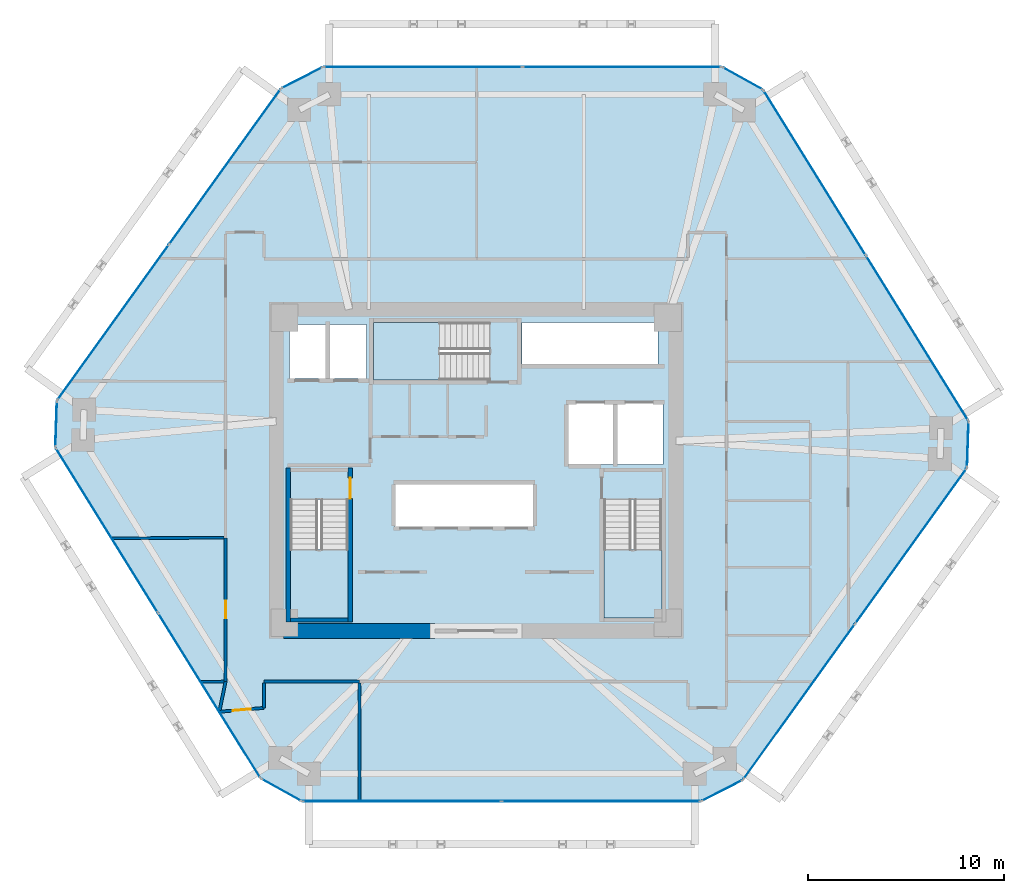
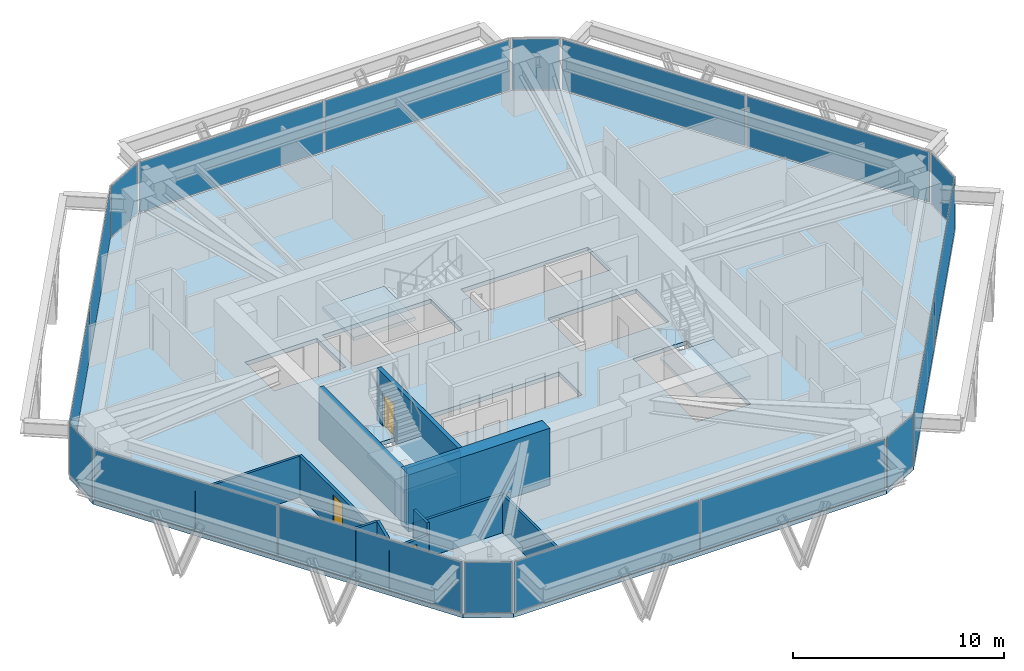
# One storey, part 9 of 13: 18 plates, 12 walls, 4 slabs, 3 doors, 3 openings, 15 elements without a shape of their own.
"""IFC4 building model written with IfcOpenShell, lengths in metres."""

from ifc_helpers import new_model, si_unit, direction, frame, frame_2d, origin, origin_2d, place, context, subcontext, project, spatial, polyline, rectangle, outline, extrude, source, transform, mapped, material, layer, layer_set, type_object, type_shapes, element, fill, aggregate, save


model = new_model("IFC4")

# Units and contexts
model_context = context("Model", 3, precision=1e-05, world=origin(), true_north=direction((0.0, 1.0)))
body_context = subcontext(model_context, "Body", "Model", "MODEL_VIEW")
ifc_project = project(units=[si_unit("LENGTHUNIT", "METRE"), si_unit("AREAUNIT", "SQUARE_METRE"), si_unit("VOLUMEUNIT", "CUBIC_METRE"), si_unit("PLANEANGLEUNIT", "RADIAN"), si_unit("MASSUNIT", "GRAM", prefix="KILO")], contexts=[model_context])

# Site, building, storey
site_placement = place(None, origin())
site = spatial("IfcSite", under=ifc_project, at=site_placement, CompositionType="ELEMENT")
building_placement = place(site_placement, origin())
building = spatial("IfcBuilding", under=site, at=building_placement, Name="Durnholm Broadcast Tower", CompositionType="ELEMENT")
storey_placement = place(building_placement, frame((0.0, 0.0, 133.800048828125)))
storey = spatial("IfcBuildingStorey", under=building, at=storey_placement, Name="L36", CompositionType="ELEMENT", Elevation=133.800048828125)

# Slab
ifc_material_1 = material(Name="Concrete C50/60", Category="concrete")
ifc_layer_1 = layer(ifc_material_1, 0.239990234375)
ifc_layer_set_1 = layer_set([ifc_layer_1], Name="Concrete C50/60")
slab_type_1 = type_object("IfcSlabType", Name="SLAB-FLR-240", PredefinedType="FLOOR", material=ifc_layer_set_1)
slab_1_placement = place(storey_placement, frame((0.0, 0.0, -0.239990234375)))
element("IfcSlab", 1, at=slab_1_placement, inside=storey, type_object=slab_type_1, Name="L36 structural floor slab", PredefinedType="FLOOR", context=body_context, shape_type="SweptSolid", body=[
    extrude(outline(polyline([(-11.012451171875, -15.77001953125), (-8.915283203125, -16.93701171875), (11.51416015625, -16.93701171875), (13.649658203125, -15.841796875), (25.11279296875, 0.114990234375), (25.1943359375, 2.513671875), (14.6904296875, 19.447998046875), (12.59326171875, 20.614990234375), (-7.836181640625, 20.614990234375), (-9.9716796875, 19.519775390625), (-21.434814453125, 3.56298828125), (-21.516357421875, 1.164306640625), (-11.012451171875, -15.77001953125)]), holes=[polyline([(-6.5400390625, -1.5), (-9.5, -1.5), (-9.5, -7.550048828125), (-6.5400390625, -7.550048828125), (-6.5400390625, -1.5)]), polyline([(9.5, -7.550048828125), (9.5, -1.5), (6.5400390625, -1.5), (6.5400390625, -7.550048828125), (9.5, -7.550048828125)]), polyline([(2.949951171875, -0.699951171875), (-4.14990234375, -0.699951171875), (-4.14990234375, -2.89990234375), (2.949951171875, -2.89990234375), (2.949951171875, -0.699951171875)]), polyline([(9.550048828125, 3.39990234375), (4.699951171875, 3.39990234375), (4.699951171875, 0.300048828125), (9.550048828125, 0.300048828125), (9.550048828125, 3.39990234375)]), polyline([(-5.60009765625, 7.449951171875), (-9.550048828125, 7.449951171875), (-9.550048828125, 4.699951171875), (-5.60009765625, 4.699951171875), (-5.60009765625, 7.449951171875)]), polyline([(-5.25, 4.60009765625), (0.699951171875, 4.60009765625), (0.699951171875, 7.56005859375), (-5.25, 7.56005859375), (-5.25, 4.60009765625)]), polyline([(9.31005859375, 7.550048828125), (2.35009765625, 7.550048828125), (2.35009765625, 5.39990234375), (9.31005859375, 5.39990234375), (9.31005859375, 7.550048828125)])]), origin(), (0.0, 0.0, 1.0), 0.239990234375),
])

# Stair, slab
stair_type = type_object("IfcStairType", Name="STAIR-DL-20R1650", PredefinedType="HALF_TURN_STAIR", material=ifc_material_1)
stair_1_placement = place(storey_placement, origin())
stair_1 = element("IfcStair", 2, at=stair_1_placement, inside=storey, type_object=stair_type, Name="L36 ST-1", PredefinedType="HALF_TURN_STAIR")
ifc_layer_2 = layer(ifc_material_1, 0.199951171875)
ifc_layer_set_2 = layer_set([ifc_layer_2], Name="Concrete C50/60")
slab_type_2 = type_object("IfcSlabType", Name="SLAB-LND-200", PredefinedType="LANDING", material=ifc_layer_set_2)
slab_2_placement = place(storey_placement, frame((0.0, 0.0, 1.449951171875)))
slab_2 = element("IfcSlab", 3, at=slab_2_placement, type_object=slab_type_2, Name="ST-1 landing 1", PredefinedType="LANDING", context=body_context, shape_type="SweptSolid", body=[
    extrude(outline(polyline([(-9.5, -4.06494140625), (-9.5, -7.550048828125), (-6.5400390625, -7.550048828125), (-6.5400390625, -4.06494140625), (-9.5, -4.06494140625)])), origin(), (0.0, 0.0, 1.0), 0.199951171875),
])
aggregate(stair_1, [slab_2])

stair_2_placement = place(storey_placement, origin())
stair_2 = element("IfcStair", 4, at=stair_2_placement, inside=storey, type_object=stair_type, Name="L36 ST-2", PredefinedType="HALF_TURN_STAIR")
slab_3_placement = place(storey_placement, frame((0.0, 0.0, 1.449951171875)))
slab_3 = element("IfcSlab", 5, at=slab_3_placement, type_object=slab_type_2, Name="ST-2 landing 1", PredefinedType="LANDING", context=body_context, shape_type="SweptSolid", body=[
    extrude(outline(polyline([(6.5400390625, -4.06494140625), (6.5400390625, -7.550048828125), (9.5, -7.550048828125), (9.5, -4.06494140625), (6.5400390625, -4.06494140625)])), origin(), (0.0, 0.0, 1.0), 0.199951171875),
])
aggregate(stair_2, [slab_3])

stair_3_placement = place(storey_placement, origin())
stair_3 = element("IfcStair", 6, at=stair_3_placement, inside=storey, type_object=stair_type, Name="L36 ST-3", PredefinedType="HALF_TURN_STAIR")
slab_4_placement = place(storey_placement, frame((0.0, 0.0, 1.449951171875)))
slab_4 = element("IfcSlab", 7, at=slab_4_placement, type_object=slab_type_2, Name="ST-3 landing 1", PredefinedType="LANDING", context=body_context, shape_type="SweptSolid", body=[
    extrude(outline(polyline([(-1.864990234375, 7.56005859375), (-5.25, 7.56005859375), (-5.25, 4.60009765625), (-1.864990234375, 4.60009765625), (-1.864990234375, 7.56005859375)])), origin(), (0.0, 0.0, 1.0), 0.199951171875),
])
aggregate(stair_3, [slab_4])

# Curtain wall, plate
ifc_material_2 = material(Name="Aluminium and Solar Control IGU", Category="aluminium")
ifc_layer_3 = layer(ifc_material_2, 0.1650390625)
ifc_layer_set_3 = layer_set([ifc_layer_3], Name="Aluminium and Solar Control IGU")
curtain_wall_type_1 = type_object("IfcCurtainWallType", Name="CW-SYS-5", PredefinedType="NOTDEFINED", material=ifc_layer_set_3)
curtain_wall_1_placement = place(storey_placement, origin())
curtain_wall_1 = element("IfcCurtainWall", 8, at=curtain_wall_1_placement, inside=storey, type_object=curtain_wall_type_1, Name="L36 curtain wall CW-CORNER CW-L36-CRN-01", PredefinedType="NOTDEFINED")
ifc_material_3 = material(Name="Low-E Laminated Insulating Glass", Category="glass")
ifc_layer_4 = layer(ifc_material_3, 0.030029296875)
ifc_layer_set_4 = layer_set([ifc_layer_4], Name="Low-E Laminated Insulating Glass")
plate_type_1 = type_object("IfcPlateType", Name="CW-SYS-5-PNL", PredefinedType="CURTAIN_PANEL", material=ifc_layer_set_4)
shared_shape_1 = source(origin(), body_context, "Body", "SweptSolid", [
    extrude(rectangle(XDim=2.27001953125, YDim=0.030029296875, at=origin_2d()), origin(), (0.0, 0.0, 1.0), 2.929931640625),
])
type_shapes(plate_type_1, [shared_shape_1])
plate_1_placement = place(storey_placement, frame((-21.4755859375, 2.36376953125, 0.06494140625), z_axis=(0.0, 0.0, 1.0), x_axis=(0.033916937775, 0.999424655155, 0.0)))
plate_1 = element("IfcPlate", 9, at=plate_1_placement, type_object=plate_type_1, Name="CW-CORNER panel 1.1", PredefinedType="CURTAIN_PANEL", context=body_context, shape_type="MappedRepresentation", body=[
    mapped(shared_shape_1, transform((0.0, 0.0, 0.0), x_axis=(1.0, 0.0, 0.0), y_axis=(0.0, 1.0, 0.0), z_axis=(0.0, 0.0, 1.0), scale=1.0)),
])
aggregate(curtain_wall_1, [plate_1])

curtain_wall_2_placement = place(storey_placement, origin())
curtain_wall_2 = element("IfcCurtainWall", 10, at=curtain_wall_2_placement, inside=storey, type_object=curtain_wall_type_1, Name="L36 curtain wall CW-CORNER CW-L36-CRN-03", PredefinedType="NOTDEFINED")
plate_2_placement = place(storey_placement, frame((-8.904052734375, 20.0673828125, 0.06494140625), z_axis=(0.0, 0.0, 1.0), x_axis=(0.889788396392, 0.45637332267, 0.0)))
plate_2 = element("IfcPlate", 11, at=plate_2_placement, type_object=plate_type_1, Name="CW-CORNER panel 1.1", PredefinedType="CURTAIN_PANEL", context=body_context, shape_type="MappedRepresentation", body=[
    mapped(shared_shape_1, transform((0.0, 0.0, 0.0), x_axis=(1.0, 0.0, 0.0), y_axis=(0.0, 1.0, 0.0), z_axis=(0.0, 0.0, 1.0), scale=1.0)),
])
aggregate(curtain_wall_2, [plate_2])

curtain_wall_3_placement = place(storey_placement, origin())
curtain_wall_3 = element("IfcCurtainWall", 12, at=curtain_wall_3_placement, inside=storey, type_object=curtain_wall_type_1, Name="L36 curtain wall CW-CORNER CW-L36-CRN-05", PredefinedType="NOTDEFINED")
plate_3_placement = place(storey_placement, frame((13.641845703125, 20.031494140625, 0.06494140625), z_axis=(0.0, 0.0, 1.0), x_axis=(0.873822953715, -0.486244224192, 0.0)))
plate_3 = element("IfcPlate", 13, at=plate_3_placement, type_object=plate_type_1, Name="CW-CORNER panel 1.1", PredefinedType="CURTAIN_PANEL", context=body_context, shape_type="MappedRepresentation", body=[
    mapped(shared_shape_1, transform((0.0, 0.0, 0.0), x_axis=(1.0, 0.0, 0.0), y_axis=(0.0, 1.0, 0.0), z_axis=(0.0, 0.0, 1.0), scale=1.0)),
])
aggregate(curtain_wall_3, [plate_3])

curtain_wall_4_placement = place(storey_placement, origin())
curtain_wall_4 = element("IfcCurtainWall", 14, at=curtain_wall_4_placement, inside=storey, type_object=curtain_wall_type_1, Name="L36 curtain wall CW-CORNER CW-L36-CRN-07", PredefinedType="NOTDEFINED")
plate_4_placement = place(storey_placement, frame((25.153564453125, 1.314208984375, 0.06494140625), z_axis=(0.0, 0.0, 1.0), x_axis=(-0.033916937775, -0.999424655155, 0.0)))
plate_4 = element("IfcPlate", 15, at=plate_4_placement, type_object=plate_type_1, Name="CW-CORNER panel 1.1", PredefinedType="CURTAIN_PANEL", context=body_context, shape_type="MappedRepresentation", body=[
    mapped(shared_shape_1, transform((0.0, 0.0, 0.0), x_axis=(1.0, 0.0, 0.0), y_axis=(0.0, 1.0, 0.0), z_axis=(0.0, 0.0, 1.0), scale=1.0)),
])
aggregate(curtain_wall_4, [plate_4])

curtain_wall_5_placement = place(storey_placement, origin())
curtain_wall_5 = element("IfcCurtainWall", 16, at=curtain_wall_5_placement, inside=storey, type_object=curtain_wall_type_1, Name="L36 curtain wall CW-CORNER CW-L36-CRN-09", PredefinedType="NOTDEFINED")
plate_5_placement = place(storey_placement, frame((12.58203125, -16.389404296875, 0.06494140625), z_axis=(0.0, 0.0, 1.0), x_axis=(-0.889788396392, -0.45637332267, 0.0)))
plate_5 = element("IfcPlate", 17, at=plate_5_placement, type_object=plate_type_1, Name="CW-CORNER panel 1.1", PredefinedType="CURTAIN_PANEL", context=body_context, shape_type="MappedRepresentation", body=[
    mapped(shared_shape_1, transform((0.0, 0.0, 0.0), x_axis=(1.0, 0.0, 0.0), y_axis=(0.0, 1.0, 0.0), z_axis=(0.0, 0.0, 1.0), scale=1.0)),
])
aggregate(curtain_wall_5, [plate_5])

curtain_wall_6_placement = place(storey_placement, origin())
curtain_wall_6 = element("IfcCurtainWall", 18, at=curtain_wall_6_placement, inside=storey, type_object=curtain_wall_type_1, Name="L36 curtain wall CW-CORNER CW-L36-CRN-11", PredefinedType="NOTDEFINED")
plate_6_placement = place(storey_placement, frame((-9.9638671875, -16.353515625, 0.06494140625), z_axis=(0.0, 0.0, 1.0), x_axis=(-0.873822953715, 0.486244224192, 0.0)))
plate_6 = element("IfcPlate", 19, at=plate_6_placement, type_object=plate_type_1, Name="CW-CORNER panel 1.1", PredefinedType="CURTAIN_PANEL", context=body_context, shape_type="MappedRepresentation", body=[
    mapped(shared_shape_1, transform((0.0, 0.0, 0.0), x_axis=(1.0, 0.0, 0.0), y_axis=(0.0, 1.0, 0.0), z_axis=(0.0, 0.0, 1.0), scale=1.0)),
])
aggregate(curtain_wall_6, [plate_6])

# Curtain wall, plates
ifc_layer_5 = layer(ifc_material_2, 0.18994140625)
ifc_layer_set_5 = layer_set([ifc_layer_5], Name="Aluminium and Solar Control IGU")
curtain_wall_type_2 = type_object("IfcCurtainWallType", Name="CW-SYS-3", PredefinedType="NOTDEFINED", material=ifc_layer_set_5)
curtain_wall_7_placement = place(storey_placement, origin())
curtain_wall_7 = element("IfcCurtainWall", 20, at=curtain_wall_7_placement, inside=storey, type_object=curtain_wall_type_2, Name="L36 curtain wall CW-Z12-VIS CW-L36-F02", PredefinedType="NOTDEFINED")
ifc_layer_6 = layer(ifc_material_3, 0.031982421875)
ifc_layer_set_6 = layer_set([ifc_layer_6], Name="Low-E Laminated Insulating Glass")
plate_type_2 = type_object("IfcPlateType", Name="CW-SYS-3-PNL", PredefinedType="CURTAIN_PANEL", material=ifc_layer_set_6)
shared_shape_2 = source(origin(), body_context, "Body", "SweptSolid", [
    extrude(rectangle(XDim=9.71875, YDim=0.031982421875, at=origin_2d()), origin(), (0.0, 0.0, 1.0), 2.919921875),
])
plate_7_placement = place(storey_placement, frame((-18.558837890625, 7.56640625, 0.070068359375), z_axis=(0.0, 0.0, 1.0), x_axis=(0.583445473786, 0.812152312759, 0.0)))
plate_7 = element("IfcPlate", 21, at=plate_7_placement, type_object=plate_type_2, Name="CW-Z12-VIS panel 1.1", PredefinedType="CURTAIN_PANEL", context=body_context, shape_type="MappedRepresentation", body=[
    mapped(shared_shape_2, transform((0.0, 0.0, 0.0), x_axis=(1.0, 0.0, 0.0), y_axis=(0.0, 1.0, 0.0), z_axis=(0.0, 0.0, 1.0), scale=1.0)),
])
plate_8_placement = place(storey_placement, frame((-12.84765625, 15.516357421875, 0.070068359375), z_axis=(0.0, 0.0, 1.0), x_axis=(0.583445473786, 0.812152312759, 0.0)))
plate_8 = element("IfcPlate", 22, at=plate_8_placement, type_object=plate_type_2, Name="CW-Z12-VIS panel 2.1", PredefinedType="CURTAIN_PANEL", context=body_context, shape_type="MappedRepresentation", body=[
    mapped(shared_shape_2, transform((0.0, 0.0, 0.0), x_axis=(1.0, 0.0, 0.0), y_axis=(0.0, 1.0, 0.0), z_axis=(0.0, 0.0, 1.0), scale=1.0)),
])
aggregate(curtain_wall_7, [plate_7, plate_8])

curtain_wall_8_placement = place(storey_placement, origin())
curtain_wall_8 = element("IfcCurtainWall", 23, at=curtain_wall_8_placement, inside=storey, type_object=curtain_wall_type_2, Name="L36 curtain wall CW-Z12-VIS CW-L36-F08", PredefinedType="NOTDEFINED")
plate_9_placement = place(storey_placement, frame((22.23681640625, -3.888427734375, 0.070068359375), z_axis=(0.0, 0.0, 1.0), x_axis=(-0.583445473786, -0.812152312759, 0.0)))
plate_9 = element("IfcPlate", 24, at=plate_9_placement, type_object=plate_type_2, Name="CW-Z12-VIS panel 1.1", PredefinedType="CURTAIN_PANEL", context=body_context, shape_type="MappedRepresentation", body=[
    mapped(shared_shape_2, transform((0.0, 0.0, 0.0), x_axis=(1.0, 0.0, 0.0), y_axis=(0.0, 1.0, 0.0), z_axis=(0.0, 0.0, 1.0), scale=1.0)),
])
plate_10_placement = place(storey_placement, frame((16.525634765625, -11.83837890625, 0.070068359375), z_axis=(0.0, 0.0, 1.0), x_axis=(-0.583445473786, -0.812152312759, 0.0)))
plate_10 = element("IfcPlate", 25, at=plate_10_placement, type_object=plate_type_2, Name="CW-Z12-VIS panel 2.1", PredefinedType="CURTAIN_PANEL", context=body_context, shape_type="MappedRepresentation", body=[
    mapped(shared_shape_2, transform((0.0, 0.0, 0.0), x_axis=(1.0, 0.0, 0.0), y_axis=(0.0, 1.0, 0.0), z_axis=(0.0, 0.0, 1.0), scale=1.0)),
])
aggregate(curtain_wall_8, [plate_9, plate_10])

curtain_wall_9_placement = place(storey_placement, origin())
curtain_wall_9 = element("IfcCurtainWall", 26, at=curtain_wall_9_placement, inside=storey, type_object=curtain_wall_type_2, Name="L36 curtain wall CW-Z12-VIS CW-L36-F04", PredefinedType="NOTDEFINED")
shared_shape_3 = source(origin(), body_context, "Body", "SweptSolid", [
    extrude(rectangle(XDim=10.109619140625, YDim=0.031982421875, at=origin_2d()), origin(), (0.0, 0.0, 1.0), 2.919921875),
])
plate_11_placement = place(storey_placement, frame((-2.71142578125, 20.614990234375, 0.070068359375), z_axis=(0.0, 0.0, 1.0), x_axis=(1.0, 0.0, 0.0)))
plate_11 = element("IfcPlate", 27, at=plate_11_placement, type_object=plate_type_2, Name="CW-Z12-VIS panel 1.1", PredefinedType="CURTAIN_PANEL", context=body_context, shape_type="MappedRepresentation", body=[
    mapped(shared_shape_3, transform((0.0, 0.0, 0.0), x_axis=(1.0, 0.0, 0.0), y_axis=(0.0, 1.0, 0.0), z_axis=(0.0, 0.0, 1.0), scale=1.0)),
])
plate_12_placement = place(storey_placement, frame((7.46826171875, 20.614990234375, 0.070068359375), z_axis=(0.0, 0.0, 1.0), x_axis=(1.0, 0.0, 0.0)))
plate_12 = element("IfcPlate", 28, at=plate_12_placement, type_object=plate_type_2, Name="CW-Z12-VIS panel 2.1", PredefinedType="CURTAIN_PANEL", context=body_context, shape_type="MappedRepresentation", body=[
    mapped(shared_shape_3, transform((0.0, 0.0, 0.0), x_axis=(1.0, 0.0, 0.0), y_axis=(0.0, 1.0, 0.0), z_axis=(0.0, 0.0, 1.0), scale=1.0)),
])
aggregate(curtain_wall_9, [plate_11, plate_12])

curtain_wall_10_placement = place(storey_placement, origin())
curtain_wall_10 = element("IfcCurtainWall", 29, at=curtain_wall_10_placement, inside=storey, type_object=curtain_wall_type_2, Name="L36 curtain wall CW-Z12-VIS CW-L36-F10", PredefinedType="NOTDEFINED")
plate_13_placement = place(storey_placement, frame((6.389404296875, -16.93701171875, 0.070068359375), z_axis=(0.0, 0.0, 1.0), x_axis=(-1.0, 0.0, 0.0)))
plate_13 = element("IfcPlate", 30, at=plate_13_placement, type_object=plate_type_2, Name="CW-Z12-VIS panel 1.1", PredefinedType="CURTAIN_PANEL", context=body_context, shape_type="MappedRepresentation", body=[
    mapped(shared_shape_3, transform((0.0, 0.0, 0.0), x_axis=(1.0, 0.0, 0.0), y_axis=(0.0, 1.0, 0.0), z_axis=(0.0, 0.0, 1.0), scale=1.0)),
])
plate_14_placement = place(storey_placement, frame((-3.790283203125, -16.93701171875, 0.070068359375), z_axis=(0.0, 0.0, 1.0), x_axis=(-1.0, 0.0, 0.0)))
plate_14 = element("IfcPlate", 31, at=plate_14_placement, type_object=plate_type_2, Name="CW-Z12-VIS panel 2.1", PredefinedType="CURTAIN_PANEL", context=body_context, shape_type="MappedRepresentation", body=[
    mapped(shared_shape_3, transform((0.0, 0.0, 0.0), x_axis=(1.0, 0.0, 0.0), y_axis=(0.0, 1.0, 0.0), z_axis=(0.0, 0.0, 1.0), scale=1.0)),
])
aggregate(curtain_wall_10, [plate_13, plate_14])

curtain_wall_11_placement = place(storey_placement, origin())
curtain_wall_11 = element("IfcCurtainWall", 32, at=curtain_wall_11_placement, inside=storey, type_object=curtain_wall_type_2, Name="L36 curtain wall CW-Z12-VIS CW-L36-F06", PredefinedType="NOTDEFINED")
shared_shape_4 = source(origin(), body_context, "Body", "SweptSolid", [
    extrude(rectangle(XDim=9.858642578125, YDim=0.031982421875, at=origin_2d()), origin(), (0.0, 0.0, 1.0), 2.919921875),
])
type_shapes(plate_type_2, [shared_shape_2, shared_shape_3, shared_shape_4])
plate_15_placement = place(storey_placement, frame((17.32568359375, 15.199462890625, 0.070068359375), z_axis=(0.0, 0.0, 1.0), x_axis=(0.527105385176, -0.849799925229, 0.0)))
plate_15 = element("IfcPlate", 33, at=plate_15_placement, type_object=plate_type_2, Name="CW-Z12-VIS panel 1.1", PredefinedType="CURTAIN_PANEL", context=body_context, shape_type="MappedRepresentation", body=[
    mapped(shared_shape_4, transform((0.0, 0.0, 0.0), x_axis=(1.0, 0.0, 0.0), y_axis=(0.0, 1.0, 0.0), z_axis=(0.0, 0.0, 1.0), scale=1.0)),
])
plate_16_placement = place(storey_placement, frame((22.55908203125, 6.761962890625, 0.070068359375), z_axis=(0.0, 0.0, 1.0), x_axis=(0.527105385176, -0.849799925229, 0.0)))
plate_16 = element("IfcPlate", 34, at=plate_16_placement, type_object=plate_type_2, Name="CW-Z12-VIS panel 2.1", PredefinedType="CURTAIN_PANEL", context=body_context, shape_type="MappedRepresentation", body=[
    mapped(shared_shape_4, transform((0.0, 0.0, 0.0), x_axis=(1.0, 0.0, 0.0), y_axis=(0.0, 1.0, 0.0), z_axis=(0.0, 0.0, 1.0), scale=1.0)),
])
aggregate(curtain_wall_11, [plate_15, plate_16])

curtain_wall_12_placement = place(storey_placement, origin())
curtain_wall_12 = element("IfcCurtainWall", 35, at=curtain_wall_12_placement, inside=storey, type_object=curtain_wall_type_2, Name="L36 curtain wall CW-Z12-VIS CW-L36-F12", PredefinedType="NOTDEFINED")
plate_17_placement = place(storey_placement, frame((-13.647705078125, -11.521484375, 0.070068359375), z_axis=(0.0, 0.0, 1.0), x_axis=(-0.527105385176, 0.849799925229, 0.0)))
plate_17 = element("IfcPlate", 36, at=plate_17_placement, type_object=plate_type_2, Name="CW-Z12-VIS panel 1.1", PredefinedType="CURTAIN_PANEL", context=body_context, shape_type="MappedRepresentation", body=[
    mapped(shared_shape_4, transform((0.0, 0.0, 0.0), x_axis=(1.0, 0.0, 0.0), y_axis=(0.0, 1.0, 0.0), z_axis=(0.0, 0.0, 1.0), scale=1.0)),
])
plate_18_placement = place(storey_placement, frame((-18.881103515625, -3.083984375, 0.070068359375), z_axis=(0.0, 0.0, 1.0), x_axis=(-0.527105385176, 0.849799925229, 0.0)))
plate_18 = element("IfcPlate", 37, at=plate_18_placement, type_object=plate_type_2, Name="CW-Z12-VIS panel 2.1", PredefinedType="CURTAIN_PANEL", context=body_context, shape_type="MappedRepresentation", body=[
    mapped(shared_shape_4, transform((0.0, 0.0, 0.0), x_axis=(1.0, 0.0, 0.0), y_axis=(0.0, 1.0, 0.0), z_axis=(0.0, 0.0, 1.0), scale=1.0)),
])
aggregate(curtain_wall_12, [plate_17, plate_18])

# Walls
ifc_material_4 = material(Name="Concrete C70/85", Category="concrete")
ifc_layer_7 = layer(ifc_material_4, 0.75)
ifc_layer_set_7 = layer_set([ifc_layer_7], Name="Concrete C70/85")
wall_type_1 = type_object("IfcWallType", Name="WALL-CW-750", PredefinedType="SHEAR", material=ifc_layer_set_7)
wall_1_placement = place(storey_placement, frame((-9.85009765625, -8.22509765625, 0.0), z_axis=(0.0, 0.0, 1.0), x_axis=(1.0, 0.0, 0.0)))
element("IfcWall", 38, at=wall_1_placement, inside=storey, type_object=wall_type_1, Name="L36 central core shear wall CW-S1", PredefinedType="SHEAR", context=body_context, shape_type="SweptSolid", body=[
    extrude(rectangle(XDim=7.75, YDim=0.75, at=frame_2d((3.875, 0.0))), origin(), (0.0, 0.0, 1.0), 3.300048828125),
])
ifc_material_5 = material(Name="Gypsum Metal Stud Partition", Category="concrete")
ifc_layer_8 = layer(ifc_material_5, 0.135009765625)
ifc_layer_set_8 = layer_set([ifc_layer_8], Name="Gypsum Metal Stud Partition")
wall_type_2 = type_object("IfcWallType", Name="WALL-PART-135", PredefinedType="PARTITIONING", material=ifc_layer_set_8)
wall_2_placement = place(storey_placement, frame((-5.9599609375, -10.888916015625, 0.0), z_axis=(0.0, 0.0, 1.0), x_axis=(0.0, -1.0, 0.0)))
element("IfcWall", 39, at=wall_2_placement, inside=storey, type_object=wall_type_2, Name="L36 room dividing partition 13.14", PredefinedType="PARTITIONING", context=body_context, shape_type="SweptSolid", body=[
    extrude(rectangle(XDim=6.048095703125, YDim=0.135009765625, at=frame_2d((3.02392578125, 0.0))), origin(), (0.0, 0.0, 1.0), 2.212158203125),
])
wall_3_placement = place(storey_placement, frame((-14.075927734375, -10.8310546875, 0.0), z_axis=(0.0, 0.0, 1.0), x_axis=(0.999860796611, 0.016684945308, 0.0)))
element("IfcWall", 40, at=wall_3_placement, inside=storey, type_object=wall_type_2, Name="L36 room dividing partition 13.15", PredefinedType="PARTITIONING", context=body_context, shape_type="SweptSolid", body=[
    extrude(rectangle(XDim=1.185302734375, YDim=0.135009765625, at=frame_2d((0.5927734375, 0.0))), origin(), (0.0, 0.0, 1.0), 3.044921875),
])
wall_4_placement = place(storey_placement, frame((-18.635009765625, -3.481201171875, 0.0), z_axis=(0.0, 0.0, 1.0), x_axis=(0.999993324293, 0.003653952494, 0.0)))
element("IfcWall", 41, at=wall_4_placement, inside=storey, type_object=wall_type_2, Name="L36 room dividing partition 15.16", PredefinedType="PARTITIONING", context=body_context, shape_type="SweptSolid", body=[
    extrude(rectangle(XDim=5.74609375, YDim=0.135009765625, at=frame_2d((2.873046875, 0.0))), origin(), (0.0, 0.0, 1.0), 2.3798828125),
])
ifc_material_6 = material(Name="Acoustic Gypsum Stud Partition", Category="concrete")
ifc_layer_9 = layer(ifc_material_6, 0.14990234375)
ifc_layer_set_9 = layer_set([ifc_layer_9], Name="Acoustic Gypsum Stud Partition")
wall_type_3 = type_object("IfcWallType", Name="WALL-PART-150", PredefinedType="PARTITIONING", material=ifc_layer_set_9)
wall_5_placement = place(storey_placement, frame((-10.840087890625, -10.81005859375, 0.0), z_axis=(0.0, 0.0, 1.0), x_axis=(1.0, 0.0, 0.0)))
element("IfcWall", 42, at=wall_5_placement, inside=storey, type_object=wall_type_3, Name="L36 Open Plan Broadcast Workspace 5 corridor partition", PredefinedType="PARTITIONING", context=body_context, shape_type="SweptSolid", body=[
    extrude(rectangle(XDim=4.880126953125, YDim=0.14990234375, at=frame_2d((2.43994140625, 0.0))), origin(), (0.0, 0.0, 1.0), 2.212158203125),
])

# Wall, opening, door
wall_6_placement = place(storey_placement, frame((-13.12890625, -12.35791015625, 0.0), z_axis=(0.0, 0.0, 1.0), x_axis=(0.996279168698, 0.086184789953, 0.0)))
wall_6 = element("IfcWall", 43, at=wall_6_placement, inside=storey, type_object=wall_type_3, Name="L36 Open Plan Broadcast Workspace 5 corridor partition", PredefinedType="PARTITIONING", context=body_context, shape_type="SweptSolid", body=[
    extrude(rectangle(XDim=2.29736328125, YDim=0.14990234375, at=frame_2d((1.148681640625, 0.0))), origin(), (0.0, 0.0, 1.0), 2.3798828125),
])
opening_1_placement = place(wall_6_placement, frame((0.688720703125, 0.0, 0.0)))
opening_1 = element("IfcOpeningElement", 44, at=opening_1_placement, cuts=wall_6, Name="Opening DR-92R", PredefinedType="OPENING", context=body_context, shape_type="SweptSolid", body=[
    extrude(rectangle(XDim=0.919921875, YDim=2.10009765625, at=frame_2d((0.4599609375, 1.050048828125))), frame((0.0, 0.0849609375, 0.0), z_axis=(0.0, -1.0, 0.0), x_axis=(1.0, 0.0, 0.0)), (0.0, 0.0, 1.0), 0.169921875),
])
ifc_material_7 = material(Name="Oak Veneer Office Door", Category="wood")
ifc_layer_10 = layer(ifc_material_7, 0.050048828125)
ifc_layer_set_10 = layer_set([ifc_layer_10], Name="Oak Veneer Office Door")
door_type_1 = type_object("IfcDoorType", Name="DOOR-RM-920R", OperationType="NOTDEFINED", PredefinedType="DOOR", material=ifc_layer_set_10)
shared_shape_5 = source(origin(), body_context, "Body", "SweptSolid", [
    extrude(rectangle(XDim=0.919921875, YDim=2.10009765625, at=frame_2d((0.4599609375, 1.050048828125))), frame((0.0, 0.02490234375, 0.0), z_axis=(0.0, -1.0, 0.0), x_axis=(1.0, 0.0, 0.0)), (0.0, 0.0, 1.0), 0.050048828125),
])
type_shapes(door_type_1, [shared_shape_5])
door_1_placement = place(opening_1_placement, origin())
door_1 = element("IfcDoor", 45, at=door_1_placement, inside=storey, type_object=door_type_1, Name="L36 Open Plan Broadcast Workspace 5 entrance door", OperationType="SINGLE_SWING_RIGHT", OverallHeight=2.10009765625, OverallWidth=0.919921875, PredefinedType="DOOR", context=body_context, shape_type="MappedRepresentation", body=[
    mapped(shared_shape_5, transform((0.0, 0.0, 0.0), x_axis=(1.0, 0.0, 0.0), y_axis=(0.0, 1.0, 0.0), z_axis=(0.0, 0.0, 1.0), scale=1.0)),
])
fill(opening_1, door_1)

# Walls
wall_7_placement = place(storey_placement, frame((-12.81005859375, -10.81005859375, 0.0), z_axis=(0.0, 0.0, 1.0), x_axis=(-0.201786289638, -0.979429575474, 0.0)))
element("IfcWall", 46, at=wall_7_placement, inside=storey, type_object=wall_type_3, Name="L36 Open Plan Broadcast Workspace 5 corridor partition", PredefinedType="PARTITIONING", context=body_context, shape_type="SweptSolid", body=[
    extrude(rectangle(XDim=1.497802734375, YDim=0.14990234375, at=frame_2d((0.7490234375, 0.0))), origin(), (0.0, 0.0, 1.0), 3.044921875),
])
wall_8_placement = place(storey_placement, frame((-10.840087890625, -12.159912109375, 0.0), z_axis=(0.0, 0.0, 1.0), x_axis=(0.0, 1.0, 0.0)))
element("IfcWall", 47, at=wall_8_placement, inside=storey, type_object=wall_type_3, Name="L36 Open Plan Broadcast Workspace 5 corridor partition", PredefinedType="PARTITIONING", context=body_context, shape_type="SweptSolid", body=[
    extrude(rectangle(XDim=1.27099609375, YDim=0.14990234375, at=frame_2d((0.635498046875, 0.0))), origin(), (0.0, 0.0, 1.0), 3.044921875),
])

# Wall, opening, door
wall_9_placement = place(storey_placement, frame((-12.81005859375, -3.4599609375, 0.0), z_axis=(0.0, 0.0, 1.0), x_axis=(0.0, -1.0, 0.0)))
wall_9 = element("IfcWall", 48, at=wall_9_placement, inside=storey, type_object=wall_type_3, Name="L36 Prop Store corridor partition", PredefinedType="PARTITIONING", context=body_context, shape_type="SweptSolid", body=[
    extrude(rectangle(XDim=7.35009765625, YDim=0.14990234375, at=frame_2d((3.675048828125, 0.0))), origin(), (0.0, 0.0, 1.0), 2.3798828125),
])
opening_2_placement = place(wall_9_placement, frame((3.22509765625, 0.0, 0.0)))
opening_2 = element("IfcOpeningElement", 49, at=opening_2_placement, cuts=wall_9, Name="Opening DC-60R", PredefinedType="OPENING", context=body_context, shape_type="SweptSolid", body=[
    extrude(rectangle(XDim=0.89990234375, YDim=2.050048828125, at=frame_2d((0.449951171875, 1.02490234375))), frame((0.0, 0.0849609375, 0.0), z_axis=(0.0, -1.0, 0.0), x_axis=(1.0, 0.0, 0.0)), (0.0, 0.0, 1.0), 0.169921875),
])
ifc_material_8 = material(Name="Fire-Rated Core Service Door", Category="steel")
ifc_layer_11 = layer(ifc_material_8, 0.050048828125)
ifc_layer_set_11 = layer_set([ifc_layer_11], Name="Fire-Rated Core Service Door")
door_type_2 = type_object("IfcDoorType", Name="DOOR-CORE-FD60-R", OperationType="NOTDEFINED", PredefinedType="DOOR", material=ifc_layer_set_11)
shared_shape_6 = source(origin(), body_context, "Body", "SweptSolid", [
    extrude(rectangle(XDim=0.89990234375, YDim=2.050048828125, at=frame_2d((0.449951171875, 1.02490234375))), frame((0.0, 0.02490234375, 0.0), z_axis=(0.0, -1.0, 0.0), x_axis=(1.0, 0.0, 0.0)), (0.0, 0.0, 1.0), 0.050048828125),
])
type_shapes(door_type_2, [shared_shape_6])
door_2_placement = place(opening_2_placement, origin())
door_2 = element("IfcDoor", 50, at=door_2_placement, inside=storey, type_object=door_type_2, Name="L36 Prop Store entrance door", OperationType="SINGLE_SWING_RIGHT", OverallHeight=2.050048828125, OverallWidth=0.89990234375, PredefinedType="DOOR", context=body_context, shape_type="MappedRepresentation", body=[
    mapped(shared_shape_6, transform((0.0, 0.0, 0.0), x_axis=(1.0, 0.0, 0.0), y_axis=(0.0, 1.0, 0.0), z_axis=(0.0, 0.0, 1.0), scale=1.0)),
])
fill(opening_2, door_2)

ifc_layer_12 = layer(ifc_material_1, 0.219970703125)
ifc_layer_set_12 = layer_set([ifc_layer_12], Name="Concrete C50/60")
wall_type_4 = type_object("IfcWallType", Name="WALL-SW-220", PredefinedType="SHEAR", material=ifc_layer_set_12)
wall_10_placement = place(storey_placement, frame((-6.429931640625, -7.77001953125, -0.239990234375), z_axis=(0.0, 0.0, 1.0), x_axis=(0.0, 1.0, 0.0)))
wall_10 = element("IfcWall", 51, at=wall_10_placement, inside=storey, type_object=wall_type_4, Name="L36 stair ST-1 structural shaft wall E", PredefinedType="SHEAR", context=body_context, shape_type="SweptSolid", body=[
    extrude(rectangle(XDim=7.89013671875, YDim=0.219970703125, at=frame_2d((3.945068359375, 0.0))), origin(), (0.0, 0.0, 1.0), 3.300048828125),
])
opening_3_placement = place(wall_10_placement, frame((6.320068359375, 0.0, 0.0)))
opening_3 = element("IfcOpeningElement", 52, at=opening_3_placement, cuts=wall_10, Name="Opening DS-90L", PredefinedType="OPENING", context=body_context, shape_type="SweptSolid", body=[
    extrude(rectangle(XDim=1.050048828125, YDim=2.14990234375, at=frame_2d((0.52490234375, 1.074951171875))), frame((0.0, 0.1201171875, 0.0), z_axis=(0.0, -1.0, 0.0), x_axis=(1.0, 0.0, 0.0)), (0.0, 0.0, 1.0), 0.239990234375),
])
ifc_material_9 = material(Name="Fire-Rated Steel Door", Category="steel")
ifc_layer_13 = layer(ifc_material_9, 0.050048828125)
ifc_layer_set_13 = layer_set([ifc_layer_13], Name="Fire-Rated Steel Door")
door_type_3 = type_object("IfcDoorType", Name="DOOR-ST-FD90-L", OperationType="NOTDEFINED", PredefinedType="DOOR", material=ifc_layer_set_13)
shared_shape_7 = source(origin(), body_context, "Body", "SweptSolid", [
    extrude(rectangle(XDim=1.050048828125, YDim=2.14990234375, at=frame_2d((0.52490234375, 1.074951171875))), frame((0.0, 0.02490234375, 0.0), z_axis=(0.0, -1.0, 0.0), x_axis=(1.0, 0.0, 0.0)), (0.0, 0.0, 1.0), 0.050048828125),
])
type_shapes(door_type_3, [shared_shape_7])
door_3_placement = place(opening_3_placement, origin())
door_3 = element("IfcDoor", 53, at=door_3_placement, inside=storey, type_object=door_type_3, Name="L36 exit stair ST-1 fire door", OperationType="SINGLE_SWING_LEFT", OverallHeight=2.14990234375, OverallWidth=1.050048828125, PredefinedType="DOOR", context=body_context, shape_type="MappedRepresentation", body=[
    mapped(shared_shape_7, transform((0.0, 0.0, 0.0), x_axis=(1.0, 0.0, 0.0), y_axis=(0.0, 1.0, 0.0), z_axis=(0.0, 0.0, 1.0), scale=1.0)),
])
fill(opening_3, door_3)

# Walls
wall_11_placement = place(storey_placement, frame((-9.610107421875, 0.1201171875, -0.239990234375), z_axis=(0.0, 0.0, 1.0), x_axis=(0.0, -1.0, 0.0)))
element("IfcWall", 54, at=wall_11_placement, inside=storey, type_object=wall_type_4, Name="L36 stair ST-1 structural shaft wall W", PredefinedType="SHEAR", context=body_context, shape_type="SweptSolid", body=[
    extrude(rectangle(XDim=7.89013671875, YDim=0.219970703125, at=frame_2d((3.945068359375, 0.0))), origin(), (0.0, 0.0, 1.0), 3.300048828125),
])
wall_12_placement = place(storey_placement, frame((-9.5, -7.659912109375, -0.239990234375), z_axis=(0.0, 0.0, 1.0), x_axis=(1.0, 0.0, 0.0)))
element("IfcWall", 55, at=wall_12_placement, inside=storey, type_object=wall_type_4, Name="L36 stair ST-1 structural shaft wall S", PredefinedType="SHEAR", context=body_context, shape_type="SweptSolid", body=[
    extrude(rectangle(XDim=2.9599609375, YDim=0.219970703125, at=frame_2d((1.47998046875, 0.0))), origin(), (0.0, 0.0, 1.0), 3.300048828125),
])

save(model, "model.ifc")
